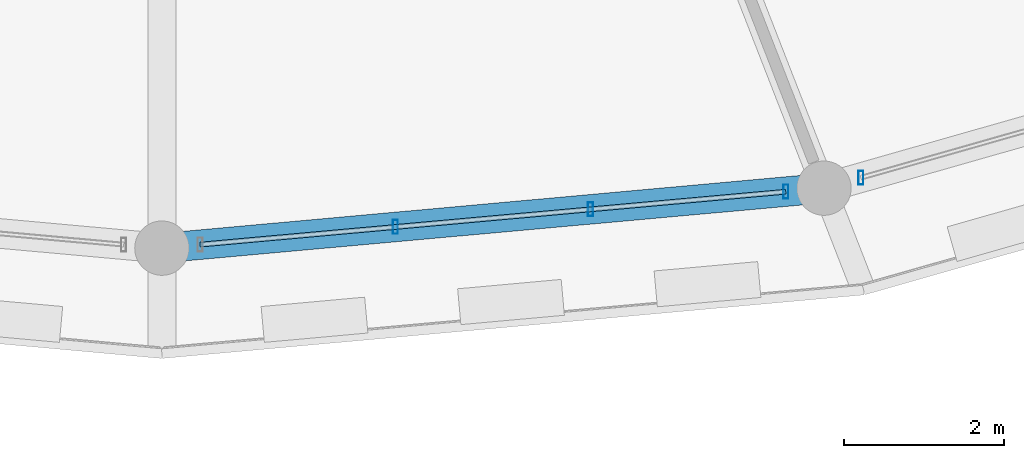
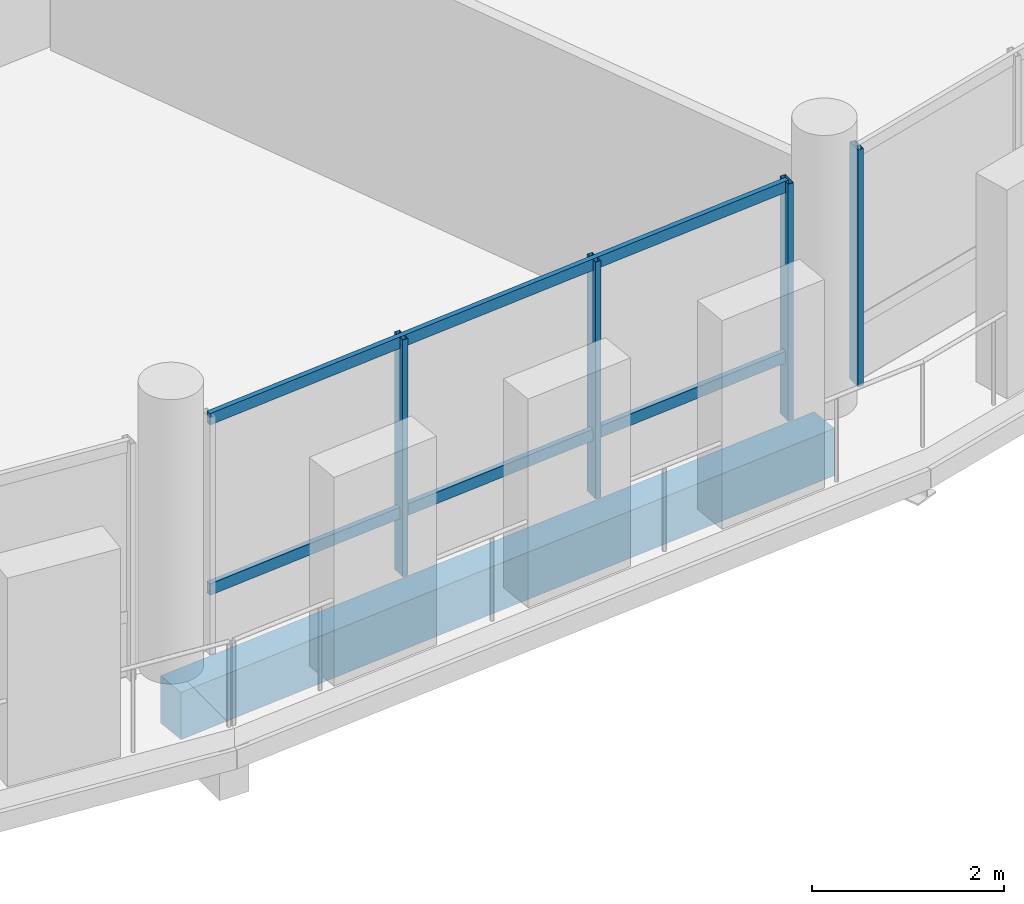
# One storey, part 47 of 128: 6 members, 1 beam, 2 elements without a shape of their own.
"""IFC4 building model written with IfcOpenShell, lengths in metres."""

from ifc_helpers import new_model, si_unit, direction, frame, origin, origin_2d, place, context, subcontext, project, spatial, rectangle, hollow_rectangle, extrude, material, material_profile, profile_set, type_object, element, aggregate, save


model = new_model("IFC4")

# Units and contexts
model_context = context("Model", 3, precision=1e-05, world=origin(), true_north=direction((0.0, 1.0)))
body_context = subcontext(model_context, "Body", "Model", "MODEL_VIEW")
ifc_project = project(units=[si_unit("LENGTHUNIT", "METRE"), si_unit("AREAUNIT", "SQUARE_METRE"), si_unit("VOLUMEUNIT", "CUBIC_METRE"), si_unit("PLANEANGLEUNIT", "RADIAN"), si_unit("MASSUNIT", "GRAM", prefix="KILO")], contexts=[model_context])

# Site, building, storey
site_placement = place(None, origin())
site = spatial("IfcSite", under=ifc_project, at=site_placement, CompositionType="ELEMENT")
building_placement = place(site_placement, origin())
building = spatial("IfcBuilding", under=site, at=building_placement, Name="Zornivar Specialist Clinic", CompositionType="ELEMENT")
storey_placement = place(building_placement, frame((0.0, 0.0, 4.5)))
storey = spatial("IfcBuildingStorey", under=building, at=storey_placement, Name="L01", CompositionType="ELEMENT", Elevation=4.5)

# Beam
ifc_material_1 = material(Name="Concrete C30/37", Category="concrete")
ifc_material_profile_1 = material_profile(ifc_material_1, rectangle(XDim=0.3701171875, YDim=0.60009765625, at=origin_2d()), Name="RC 370x600")
ifc_profile_set_1 = profile_set([ifc_material_profile_1], Name="Concrete C30/37")
beam_type = type_object("IfcBeamType", Name="BM-RC-SPANDREL-370x600", PredefinedType="SPANDREL", material=ifc_profile_set_1)
beam_placement = place(storey_placement, frame((93.60009765625, 35.60009765625, -0.5400390625), z_axis=(0.99592467027, 0.09018897465, 0.0), x_axis=(-0.09018897465, 0.99592467027, 0.0)))
element("IfcBeam", 1, at=beam_placement, inside=storey, type_object=beam_type, Name="bm:V1:L01:outring:18", PredefinedType="SPANDREL", context=body_context, shape_type="SweptSolid", body=[
    extrude(rectangle(XDim=0.3701171875, YDim=0.60009765625, at=origin_2d()), origin(), (0.0, 0.0, 1.0), 8.31591796875),
])

# Curtain wall, members
ifc_material_2 = material(Name="Aluminium and Low-E Glass Curtain Wall", Category="aluminium")
curtain_wall_type = type_object("IfcCurtainWallType", Name="CW-DRUM-FACET", PredefinedType="NOTDEFINED", material=ifc_material_2)
curtain_wall_1_placement = place(storey_placement, origin())
curtain_wall_1 = element("IfcCurtainWall", 2, at=curtain_wall_1_placement, inside=storey, type_object=curtain_wall_type, Name="cw:V1:L01:c18", PredefinedType="NOTDEFINED")
ifc_material_3 = material(Name="Aluminium AW-6060", Category="aluminium")
ifc_material_profile_2 = material_profile(ifc_material_3, hollow_rectangle(XDim=0.06494140625, YDim=0.175048828125, WallThickness=0.00439453125, at=origin_2d()), Name="ALU 65x175x4.5")
ifc_profile_set_2 = profile_set([ifc_material_profile_2], Name="Aluminium AW-6060")
member_type_1 = type_object("IfcMemberType", Name="CWM-MUL-175", PredefinedType="MULLION", material=ifc_profile_set_2)
member_1_placement = place(storey_placement, frame((96.52001953125, 35.864990234375, 0.0), z_axis=(0.0, 0.0, 1.0), x_axis=(1.0, 0.0, 0.0)))
member_1 = element("IfcMember", 3, at=member_1_placement, type_object=member_type_1, Name="cw:V1:L01:c18:mul:1", PredefinedType="MULLION", context=body_context, shape_type="SweptSolid", body=[
    extrude(hollow_rectangle(XDim=0.06494140625, YDim=0.175048828125, WallThickness=0.00439453125, at=origin_2d()), origin(), (0.0, 0.0, 1.0), 3.010009765625),
])
member_2_placement = place(storey_placement, frame((98.9619140625, 36.0859375, 0.0), z_axis=(0.0, 0.0, 1.0), x_axis=(1.0, 0.0, 0.0)))
member_2 = element("IfcMember", 4, at=member_2_placement, type_object=member_type_1, Name="cw:V1:L01:c18:mul:2", PredefinedType="MULLION", context=body_context, shape_type="SweptSolid", body=[
    extrude(hollow_rectangle(XDim=0.06494140625, YDim=0.175048828125, WallThickness=0.00439453125, at=origin_2d()), origin(), (0.0, 0.0, 1.0), 3.010009765625),
])
member_3_placement = place(storey_placement, frame((101.404052734375, 36.306884765625, 0.0), z_axis=(0.0, 0.0, 1.0), x_axis=(1.0, 0.0, 0.0)))
member_3 = element("IfcMember", 5, at=member_3_placement, type_object=member_type_1, Name="cw:V1:L01:c18:mul:3", PredefinedType="MULLION", context=body_context, shape_type="SweptSolid", body=[
    extrude(hollow_rectangle(XDim=0.06494140625, YDim=0.175048828125, WallThickness=0.00439453125, at=origin_2d()), origin(), (0.0, 0.0, 1.0), 3.010009765625),
])

# Curtain wall, member
curtain_wall_2_placement = place(storey_placement, origin())
curtain_wall_2 = element("IfcCurtainWall", 6, at=curtain_wall_2_placement, inside=storey, type_object=curtain_wall_type, Name="cw:V1:L01:c19", PredefinedType="NOTDEFINED")
member_4_placement = place(storey_placement, frame((102.343017578125, 36.48095703125, 0.0), z_axis=(0.0, 0.0, 1.0), x_axis=(1.0, 0.0, 0.0)))
member_4 = element("IfcMember", 7, at=member_4_placement, type_object=member_type_1, Name="cw:V1:L01:c19:mul:0", PredefinedType="MULLION", context=body_context, shape_type="SweptSolid", body=[
    extrude(hollow_rectangle(XDim=0.06494140625, YDim=0.175048828125, WallThickness=0.00439453125, at=origin_2d()), origin(), (0.0, 0.0, 1.0), 3.010009765625),
])
aggregate(curtain_wall_2, [member_4])

# Member
ifc_material_4 = material(Name="Aluminium AW-6060", Category="aluminium")
ifc_material_profile_3 = material_profile(ifc_material_4, hollow_rectangle(XDim=0.06005859375, YDim=0.14501953125, WallThickness=0.00390625, at=origin_2d()), Name="ALU 60x145x4")
ifc_profile_set_3 = profile_set([ifc_material_profile_3], Name="Aluminium AW-6060")
member_type_2 = type_object("IfcMemberType", Name="CWM-TRN-145", PredefinedType="USERDEFINED", material=ifc_profile_set_3)
member_5_placement = place(storey_placement, frame((94.077880859375, 35.64404296875, 0.782958984375), z_axis=(0.995943921343, 0.089976138722, 0.0), x_axis=(-0.089976138722, 0.995943921343, 0.0)))
member_5 = element("IfcMember", 8, at=member_5_placement, type_object=member_type_2, Name="cw:V1:L01:c18:trn:0", ObjectType="TRANSOM", PredefinedType="USERDEFINED", context=body_context, shape_type="SweptSolid", body=[
    extrude(hollow_rectangle(XDim=0.06005859375, YDim=0.14501953125, WallThickness=0.00390625, at=origin_2d()), origin(), (0.0, 0.0, 1.0), 7.35595703125),
])

member_6_placement = place(storey_placement, frame((94.077880859375, 35.64404296875, 2.945068359375), z_axis=(0.995943921343, 0.089976138722, 0.0), x_axis=(-0.089976138722, 0.995943921343, 0.0)))
member_6 = element("IfcMember", 9, at=member_6_placement, type_object=member_type_2, Name="cw:V1:L01:c18:trn:1", ObjectType="TRANSOM", PredefinedType="USERDEFINED", context=body_context, shape_type="SweptSolid", body=[
    extrude(hollow_rectangle(XDim=0.06005859375, YDim=0.14501953125, WallThickness=0.00390625, at=origin_2d()), origin(), (0.0, 0.0, 1.0), 7.35595703125),
])

aggregate(curtain_wall_1, [member_1, member_2, member_3, member_5, member_6])

save(model, "model.ifc")
